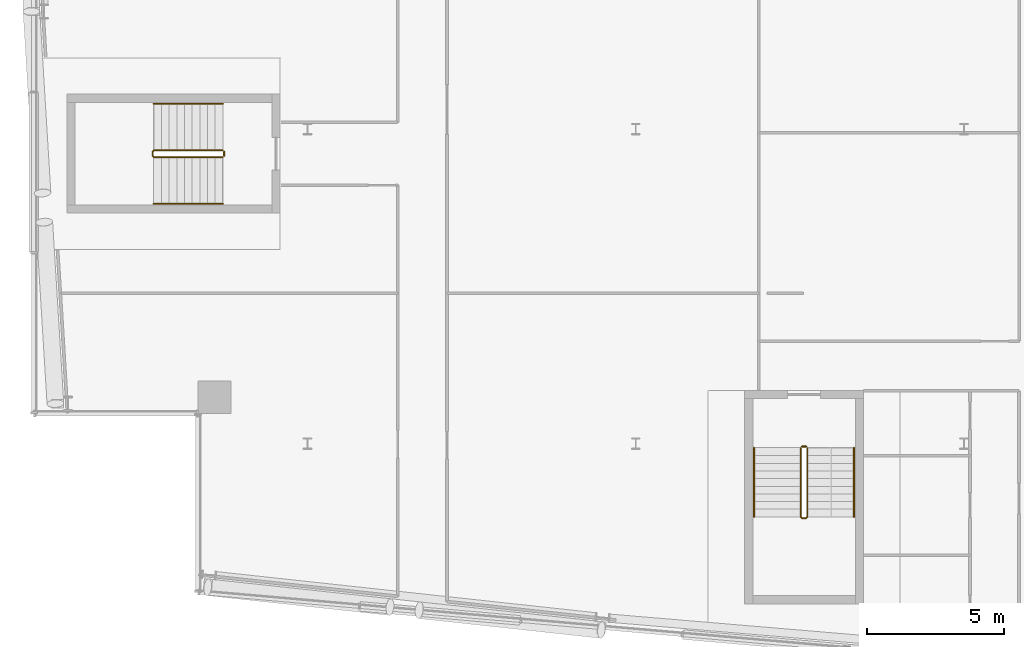
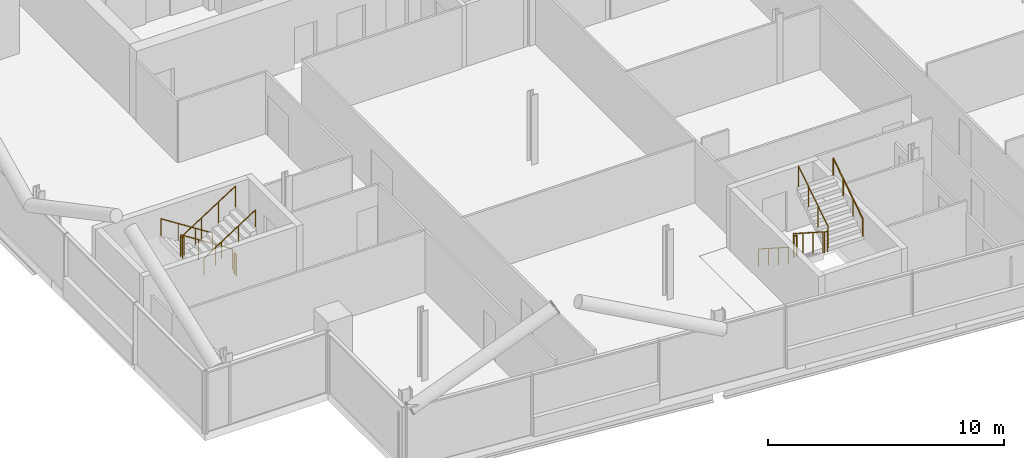
# One storey, part 26 of 28: 8 railings.
"""IFC4 building model written with IfcOpenShell, lengths in metres."""

from ifc_helpers import new_model, si_unit, direction, frame, origin, origin_2d, place, context, subcontext, project, spatial, circle, extrude, material, type_object, element, save


model = new_model("IFC4")

# Units and contexts
model_context = context("Model", 3, precision=1e-05, world=origin(), true_north=direction((0.0, 1.0)))
body_context = subcontext(model_context, "Body", "Model", "MODEL_VIEW")
ifc_project = project(units=[si_unit("LENGTHUNIT", "METRE"), si_unit("AREAUNIT", "SQUARE_METRE"), si_unit("VOLUMEUNIT", "CUBIC_METRE"), si_unit("PLANEANGLEUNIT", "RADIAN"), si_unit("MASSUNIT", "GRAM", prefix="KILO")], contexts=[model_context])

# Site, building, storey
site_placement = place(None, origin())
site = spatial("IfcSite", under=ifc_project, at=site_placement, CompositionType="ELEMENT")
building_placement = place(site_placement, origin())
building = spatial("IfcBuilding", under=site, at=building_placement, Name="Wharfspan Tower", CompositionType="ELEMENT")
storey_placement = place(building_placement, frame((0.0, 0.0, 250.300049)))
storey = spatial("IfcBuildingStorey", under=building, at=storey_placement, Name="L63", CompositionType="ELEMENT", Elevation=250.300049)

# Railings
ifc_material = material(Name="Steel S355J2", Category="steel")
railing_type_1 = type_object("IfcRailingType", Name="Stair guard 1100", PredefinedType="GUARDRAIL", material=ifc_material)
railing_1_placement = place(storey_placement, frame((20.899902, 22.225098, 0.179932)))
element("IfcRailing", 1, at=railing_1_placement, inside=storey, type_object=railing_type_1, Name="L63 ST3 stair guard 1", PredefinedType="GUARDRAIL", context=body_context, shape_type="SweptSolid", body=[
    extrude(circle(Radius=0.023926, at=origin_2d()), frame((0.0, 0.0, 1.076172), z_axis=(-0.841163, 0.0, 0.540782), x_axis=(0.0, -1.0, 0.0)), (0.0, 0.0, 1.0), 2.99585),
    extrude(circle(Radius=0.023926, at=origin_2d()), frame((-2.52002, 0.0, 2.696289), z_axis=(-0.705376, -0.708834, 0.0), x_axis=(0.708834, -0.705376, 0.0)), (0.0, 0.0, 1.0), 0.070557),
    extrude(circle(Radius=0.023926, at=origin_2d()), frame((-2.569824, -0.050049, 2.696289), z_axis=(0.0, -1.0, 0.0), x_axis=(1.0, 0.0, 0.0)), (0.0, 0.0, 1.0), 0.150146),
    extrude(circle(Radius=0.023926, at=origin_2d()), frame((-2.569824, -0.200195, 2.696289), z_axis=(0.257753, -0.257753, 0.931196), x_axis=(0.707107, 0.707107, 0.0)), (0.0, 0.0, 1.0), 0.193115),
    extrude(circle(Radius=0.023926, at=origin_2d()), frame((-2.52002, -0.25, 2.875977), z_axis=(0.8412, 0.0, 0.540725), x_axis=(0.0, 1.0, 0.0)), (0.0, 0.0, 1.0), 2.99585),
    extrude(circle(Radius=0.020996, at=origin_2d()), origin(), (0.0, 0.0, 1.0), 1.052002),
    extrude(circle(Radius=0.020996, at=origin_2d()), frame((-0.840088, 0.0, 0.540039)), (0.0, 0.0, 1.0), 1.052002),
    extrude(circle(Radius=0.020996, at=origin_2d()), frame((-1.679932, 0.0, 1.080078)), (0.0, 0.0, 1.0), 1.052002),
    extrude(circle(Radius=0.020996, at=origin_2d()), frame((-2.52002, 0.0, 1.620117)), (0.0, 0.0, 1.0), 1.052002),
    extrude(circle(Radius=0.020996, at=origin_2d()), frame((-2.569824, -0.050049, 1.620117)), (0.0, 0.0, 1.0), 1.052002),
    extrude(circle(Radius=0.020996, at=origin_2d()), frame((-2.569824, -0.200195, 1.620117)), (0.0, 0.0, 1.0), 1.052002),
    extrude(circle(Radius=0.020996, at=origin_2d()), frame((-2.52002, -0.25, 1.800049)), (0.0, 0.0, 1.0), 1.052002),
    extrude(circle(Radius=0.020996, at=origin_2d()), frame((-1.679932, -0.25, 2.340088)), (0.0, 0.0, 1.0), 1.052002),
    extrude(circle(Radius=0.020996, at=origin_2d()), frame((-0.840088, -0.25, 2.879883)), (0.0, 0.0, 1.0), 1.052002),
    extrude(circle(Radius=0.020996, at=origin_2d()), frame((0.0, -0.25, 3.419922)), (0.0, 0.0, 1.0), 1.052002),
])
railing_2_placement = place(storey_placement, frame((20.949951, 22.175049, 0.0)))
element("IfcRailing", 2, at=railing_2_placement, inside=storey, type_object=railing_type_1, Name="L63 ST3 stair guard 2", PredefinedType="GUARDRAIL", context=body_context, shape_type="SweptSolid", body=[
    extrude(circle(Radius=0.023926, at=origin_2d()), frame((0.0, 0.0, 1.076172), z_axis=(0.0, -1.0, 0.0), x_axis=(1.0, 0.0, 0.0)), (0.0, 0.0, 1.0), 0.150146),
    extrude(circle(Radius=0.020996, at=origin_2d()), origin(), (0.0, 0.0, 1.0), 1.052002),
    extrude(circle(Radius=0.020996, at=origin_2d()), frame((0.0, -0.150146, 0.0)), (0.0, 0.0, 1.0), 1.052002),
])
railing_3_placement = place(storey_placement, frame((42.0271, 11.343262, 0.179932)))
element("IfcRailing", 3, at=railing_3_placement, inside=storey, type_object=railing_type_1, Name="L63 ST4 stair guard 1", PredefinedType="GUARDRAIL", context=body_context, shape_type="SweptSolid", body=[
    extrude(circle(Radius=0.023926, at=origin_2d()), frame((0.0, 0.0, 1.076172), z_axis=(0.0, -0.841163, 0.540782), x_axis=(1.0, 0.0, 0.0)), (0.0, 0.0, 1.0), 2.99585),
    extrude(circle(Radius=0.023926, at=origin_2d()), frame((0.0, -2.52002, 2.696289), z_axis=(0.707107, -0.707107, 0.0), x_axis=(0.707107, 0.707107, 0.0)), (0.0, 0.0, 1.0), 0.070801),
    extrude(circle(Radius=0.023926, at=origin_2d()), frame((0.050049, -2.570068, 2.696289), z_axis=(1.0, 0.0, 0.0), x_axis=(0.0, 1.0, 0.0)), (0.0, 0.0, 1.0), 0.149902),
    extrude(circle(Radius=0.023926, at=origin_2d()), frame((0.199951, -2.570068, 2.696289), z_axis=(0.258848, 0.258848, 0.930589), x_axis=(-0.707107, 0.707107, 0.0)), (0.0, 0.0, 1.0), 0.193359),
    extrude(circle(Radius=0.023926, at=origin_2d()), frame((0.25, -2.52002, 2.875977), z_axis=(0.0, 0.8412, 0.540725), x_axis=(-1.0, 0.0, 0.0)), (0.0, 0.0, 1.0), 2.99585),
    extrude(circle(Radius=0.020996, at=origin_2d()), origin(), (0.0, 0.0, 1.0), 1.052002),
    extrude(circle(Radius=0.020996, at=origin_2d()), frame((0.0, -0.840088, 0.540039)), (0.0, 0.0, 1.0), 1.052002),
    extrude(circle(Radius=0.020996, at=origin_2d()), frame((0.0, -1.679932, 1.080078)), (0.0, 0.0, 1.0), 1.052002),
    extrude(circle(Radius=0.020996, at=origin_2d()), frame((0.0, -2.52002, 1.620117)), (0.0, 0.0, 1.0), 1.052002),
    extrude(circle(Radius=0.020996, at=origin_2d()), frame((0.050049, -2.570068, 1.620117)), (0.0, 0.0, 1.0), 1.052002),
    extrude(circle(Radius=0.020996, at=origin_2d()), frame((0.199951, -2.570068, 1.620117)), (0.0, 0.0, 1.0), 1.052002),
    extrude(circle(Radius=0.020996, at=origin_2d()), frame((0.25, -2.52002, 1.800049)), (0.0, 0.0, 1.0), 1.052002),
    extrude(circle(Radius=0.020996, at=origin_2d()), frame((0.25, -1.679932, 2.340088)), (0.0, 0.0, 1.0), 1.052002),
    extrude(circle(Radius=0.020996, at=origin_2d()), frame((0.25, -0.840088, 2.879883)), (0.0, 0.0, 1.0), 1.052002),
    extrude(circle(Radius=0.020996, at=origin_2d()), frame((0.25, 0.0, 3.419922)), (0.0, 0.0, 1.0), 1.052002),
])
railing_4_placement = place(storey_placement, frame((42.077148, 11.393311, 0.0)))
element("IfcRailing", 4, at=railing_4_placement, inside=storey, type_object=railing_type_1, Name="L63 ST4 stair guard 2", PredefinedType="GUARDRAIL", context=body_context, shape_type="SweptSolid", body=[
    extrude(circle(Radius=0.023926, at=origin_2d()), frame((0.0, 0.0, 1.076172), z_axis=(1.0, 0.0, 0.0), x_axis=(0.0, 1.0, 0.0)), (0.0, 0.0, 1.0), 0.149902),
    extrude(circle(Radius=0.020996, at=origin_2d()), origin(), (0.0, 0.0, 1.0), 1.052002),
    extrude(circle(Radius=0.020996, at=origin_2d()), frame((0.149902, 0.0, 0.0)), (0.0, 0.0, 1.0), 1.052002),
])
railing_type_2 = type_object("IfcRailingType", Name="Stair handrail 900", PredefinedType="HANDRAIL", material=ifc_material)
railing_5_placement = place(storey_placement, frame((20.899902, 23.925049, 0.179932)))
element("IfcRailing", 5, at=railing_5_placement, inside=storey, type_object=railing_type_2, Name="L63 ST3 stair handrail 1", PredefinedType="HANDRAIL", context=body_context, shape_type="SweptSolid", body=[
    extrude(circle(Radius=0.023926, at=origin_2d()), frame((0.0, 0.0, 0.875977), z_axis=(-0.841163, 0.0, 0.540782), x_axis=(0.0, -1.0, 0.0)), (0.0, 0.0, 1.0), 2.99585),
    extrude(circle(Radius=0.020996, at=origin_2d()), origin(), (0.0, 0.0, 1.0), 0.851807),
    extrude(circle(Radius=0.020996, at=origin_2d()), frame((-0.840088, 0.0, 0.540039)), (0.0, 0.0, 1.0), 0.851807),
    extrude(circle(Radius=0.020996, at=origin_2d()), frame((-1.679932, 0.0, 1.080078)), (0.0, 0.0, 1.0), 0.851807),
    extrude(circle(Radius=0.020996, at=origin_2d()), frame((-2.52002, 0.0, 1.620117)), (0.0, 0.0, 1.0), 0.851807),
])
railing_6_placement = place(storey_placement, frame((18.379883, 20.274902, 1.97998)))
element("IfcRailing", 6, at=railing_6_placement, inside=storey, type_object=railing_type_2, Name="L63 ST3 stair handrail 2", PredefinedType="HANDRAIL", context=body_context, shape_type="SweptSolid", body=[
    extrude(circle(Radius=0.023926, at=origin_2d()), frame((0.0, 0.0, 0.875977), z_axis=(0.8412, 0.0, 0.540725), x_axis=(0.0, 1.0, 0.0)), (0.0, 0.0, 1.0), 2.99585),
    extrude(circle(Radius=0.020996, at=origin_2d()), origin(), (0.0, 0.0, 1.0), 0.851807),
    extrude(circle(Radius=0.020996, at=origin_2d()), frame((0.840088, 0.0, 0.540039)), (0.0, 0.0, 1.0), 0.851807),
    extrude(circle(Radius=0.020996, at=origin_2d()), frame((1.679932, 0.0, 1.079834)), (0.0, 0.0, 1.0), 0.851807),
    extrude(circle(Radius=0.020996, at=origin_2d()), frame((2.52002, 0.0, 1.619873)), (0.0, 0.0, 1.0), 0.851807),
])
railing_7_placement = place(storey_placement, frame((40.327148, 11.343262, 0.179932)))
element("IfcRailing", 7, at=railing_7_placement, inside=storey, type_object=railing_type_2, Name="L63 ST4 stair handrail 1", PredefinedType="HANDRAIL", context=body_context, shape_type="SweptSolid", body=[
    extrude(circle(Radius=0.023926, at=origin_2d()), frame((0.0, 0.0, 0.875977), z_axis=(0.0, -0.841163, 0.540782), x_axis=(1.0, 0.0, 0.0)), (0.0, 0.0, 1.0), 2.99585),
    extrude(circle(Radius=0.020996, at=origin_2d()), origin(), (0.0, 0.0, 1.0), 0.851807),
    extrude(circle(Radius=0.020996, at=origin_2d()), frame((0.0, -0.840088, 0.540039)), (0.0, 0.0, 1.0), 0.851807),
    extrude(circle(Radius=0.020996, at=origin_2d()), frame((0.0, -1.679932, 1.080078)), (0.0, 0.0, 1.0), 0.851807),
    extrude(circle(Radius=0.020996, at=origin_2d()), frame((0.0, -2.52002, 1.620117)), (0.0, 0.0, 1.0), 0.851807),
])
railing_8_placement = place(storey_placement, frame((43.977051, 8.823242, 1.97998)))
element("IfcRailing", 8, at=railing_8_placement, inside=storey, type_object=railing_type_2, Name="L63 ST4 stair handrail 2", PredefinedType="HANDRAIL", context=body_context, shape_type="SweptSolid", body=[
    extrude(circle(Radius=0.023926, at=origin_2d()), frame((0.0, 0.0, 0.875977), z_axis=(0.0, 0.8412, 0.540725), x_axis=(-1.0, 0.0, 0.0)), (0.0, 0.0, 1.0), 2.99585),
    extrude(circle(Radius=0.020996, at=origin_2d()), origin(), (0.0, 0.0, 1.0), 0.851807),
    extrude(circle(Radius=0.020996, at=origin_2d()), frame((0.0, 0.840088, 0.540039)), (0.0, 0.0, 1.0), 0.851807),
    extrude(circle(Radius=0.020996, at=origin_2d()), frame((0.0, 1.679932, 1.079834)), (0.0, 0.0, 1.0), 0.851807),
    extrude(circle(Radius=0.020996, at=origin_2d()), frame((0.0, 2.52002, 1.619873)), (0.0, 0.0, 1.0), 0.851807),
])

save(model, "model.ifc")
